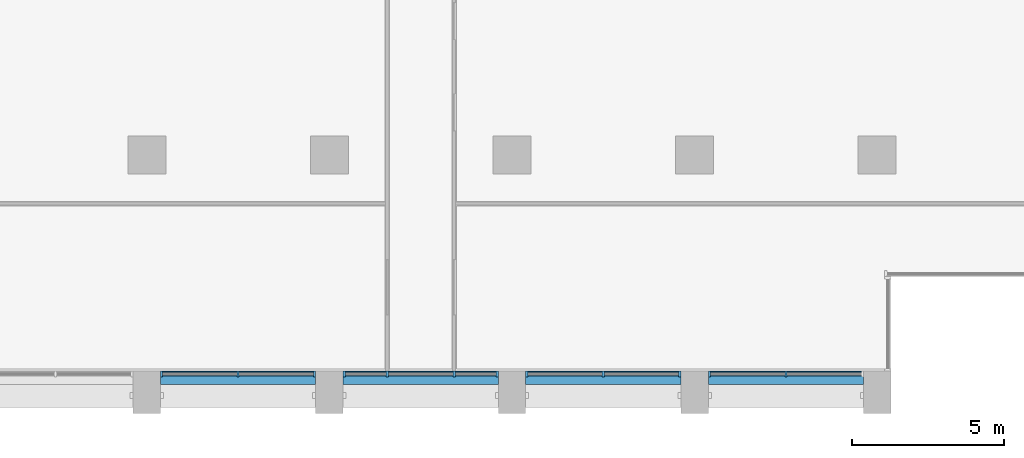
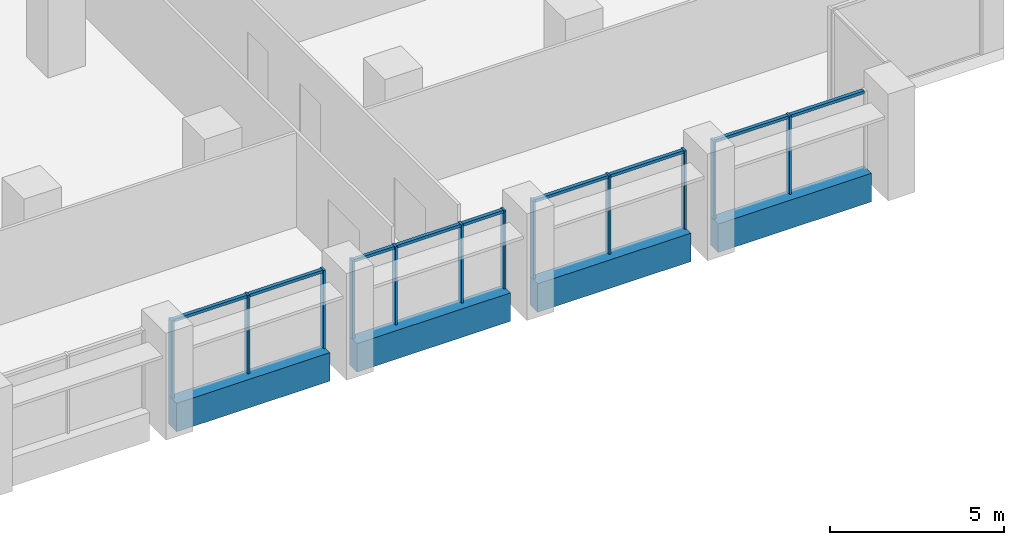
# One storey, part 3 of 16: 21 members, 4 beams, 4 elements without a shape of their own.
"""IFC4 building model written with IfcOpenShell, lengths in metres."""

from ifc_helpers import new_model, si_unit, direction, frame, origin, origin_2d, place, context, subcontext, project, spatial, rectangle, extrude, material, material_profile, profile_set, type_object, element, aggregate, save


model = new_model("IFC4")

# Units and contexts
model_context = context("Model", 3, precision=1e-05, world=origin(), true_north=direction((0.0, 1.0)))
body_context = subcontext(model_context, "Body", "Model", "MODEL_VIEW")
ifc_project = project(units=[si_unit("LENGTHUNIT", "METRE"), si_unit("AREAUNIT", "SQUARE_METRE"), si_unit("VOLUMEUNIT", "CUBIC_METRE"), si_unit("PLANEANGLEUNIT", "RADIAN"), si_unit("MASSUNIT", "GRAM", prefix="KILO")], contexts=[model_context])

# Site, building, storey
site_placement = place(None, origin())
site = spatial("IfcSite", under=ifc_project, at=site_placement, CompositionType="ELEMENT")
building_placement = place(site_placement, origin())
building = spatial("IfcBuilding", under=site, at=building_placement, Name="Calvaro Tower", CompositionType="ELEMENT")
storey_placement = place(building_placement, frame((0.0, 0.0, 136.25)))
storey = spatial("IfcBuildingStorey", under=building, at=storey_placement, Name="L34", CompositionType="ELEMENT", Elevation=136.25)

# Curtain wall, members
ifc_material_1 = material(Name="Anodised aluminium", Category="aluminium")
curtain_wall_type = type_object("IfcCurtainWallType", Name="Office curtain wall, middle zone", PredefinedType="NOTDEFINED", material=ifc_material_1)
curtain_wall_1_placement = place(storey_placement, origin())
curtain_wall_1 = element("IfcCurtainWall", 1, at=curtain_wall_1_placement, inside=storey, type_object=curtain_wall_type, Name="CW2 south curtain wall", PredefinedType="NOTDEFINED")
ifc_material_2 = material(Name="Anodised aluminium", Category="aluminium")
ifc_material_profile_1 = material_profile(ifc_material_2, rectangle(XDim=0.199951171875, YDim=0.070068359375, at=origin_2d()), Name="Mullion S2 70 x 200")
ifc_profile_set_1 = profile_set([ifc_material_profile_1], Name="Anodised aluminium")
member_type_1 = type_object("IfcMemberType", Name="Mullion S2 70 x 200", PredefinedType="MULLION", material=ifc_profile_set_1)
member_1_placement = place(storey_placement, frame((42.485107421875, 2.800048828125, 0.0), z_axis=(0.0, 0.0, 1.0), x_axis=(0.0, 1.0, 0.0)))
member_1 = element("IfcMember", 2, at=member_1_placement, type_object=member_type_1, Name="CW2 mullion 1", PredefinedType="MULLION", context=body_context, shape_type="SweptSolid", body=[
    extrude(rectangle(XDim=0.199951171875, YDim=0.070068359375, at=origin_2d()), origin(), (0.0, 0.0, 1.0), 2.75),
])
member_2_placement = place(storey_placement, frame((45.0, 2.800048828125, 0.0), z_axis=(0.0, 0.0, 1.0), x_axis=(0.0, 1.0, 0.0)))
member_2 = element("IfcMember", 3, at=member_2_placement, type_object=member_type_1, Name="CW2 mullion 2", PredefinedType="MULLION", context=body_context, shape_type="SweptSolid", body=[
    extrude(rectangle(XDim=0.199951171875, YDim=0.070068359375, at=origin_2d()), origin(), (0.0, 0.0, 1.0), 2.75),
])
member_3_placement = place(storey_placement, frame((47.514892578125, 2.800048828125, 0.0), z_axis=(0.0, 0.0, 1.0), x_axis=(0.0, 1.0, 0.0)))
member_3 = element("IfcMember", 4, at=member_3_placement, type_object=member_type_1, Name="CW2 mullion 3", PredefinedType="MULLION", context=body_context, shape_type="SweptSolid", body=[
    extrude(rectangle(XDim=0.199951171875, YDim=0.070068359375, at=origin_2d()), origin(), (0.0, 0.0, 1.0), 2.75),
])

curtain_wall_2_placement = place(storey_placement, origin())
curtain_wall_2 = element("IfcCurtainWall", 5, at=curtain_wall_2_placement, inside=storey, type_object=curtain_wall_type, Name="CW2 south curtain wall", PredefinedType="NOTDEFINED")
member_4_placement = place(storey_placement, frame((48.485107421875, 2.800048828125, 0.0), z_axis=(0.0, 0.0, 1.0), x_axis=(0.0, 1.0, 0.0)))
member_4 = element("IfcMember", 6, at=member_4_placement, type_object=member_type_1, Name="CW2 mullion 1", PredefinedType="MULLION", context=body_context, shape_type="SweptSolid", body=[
    extrude(rectangle(XDim=0.199951171875, YDim=0.070068359375, at=origin_2d()), origin(), (0.0, 0.0, 1.0), 2.75),
])
member_5_placement = place(storey_placement, frame((49.89990234375, 2.800048828125, 0.0), z_axis=(0.0, 0.0, 1.0), x_axis=(0.0, 1.0, 0.0)))
member_5 = element("IfcMember", 7, at=member_5_placement, type_object=member_type_1, Name="CW2 mullion 2", PredefinedType="MULLION", context=body_context, shape_type="SweptSolid", body=[
    extrude(rectangle(XDim=0.199951171875, YDim=0.070068359375, at=origin_2d()), origin(), (0.0, 0.0, 1.0), 2.75),
])
member_6_placement = place(storey_placement, frame((52.10009765625, 2.800048828125, 0.0), z_axis=(0.0, 0.0, 1.0), x_axis=(0.0, 1.0, 0.0)))
member_6 = element("IfcMember", 8, at=member_6_placement, type_object=member_type_1, Name="CW2 mullion 3", PredefinedType="MULLION", context=body_context, shape_type="SweptSolid", body=[
    extrude(rectangle(XDim=0.199951171875, YDim=0.070068359375, at=origin_2d()), origin(), (0.0, 0.0, 1.0), 2.75),
])
member_7_placement = place(storey_placement, frame((53.514892578125, 2.800048828125, 0.0), z_axis=(0.0, 0.0, 1.0), x_axis=(0.0, 1.0, 0.0)))
member_7 = element("IfcMember", 9, at=member_7_placement, type_object=member_type_1, Name="CW2 mullion 4", PredefinedType="MULLION", context=body_context, shape_type="SweptSolid", body=[
    extrude(rectangle(XDim=0.199951171875, YDim=0.070068359375, at=origin_2d()), origin(), (0.0, 0.0, 1.0), 2.75),
])

curtain_wall_3_placement = place(storey_placement, origin())
curtain_wall_3 = element("IfcCurtainWall", 10, at=curtain_wall_3_placement, inside=storey, type_object=curtain_wall_type, Name="CW2 south curtain wall", PredefinedType="NOTDEFINED")
member_8_placement = place(storey_placement, frame((54.485107421875, 2.800048828125, 0.0), z_axis=(0.0, 0.0, 1.0), x_axis=(0.0, 1.0, 0.0)))
member_8 = element("IfcMember", 11, at=member_8_placement, type_object=member_type_1, Name="CW2 mullion 1", PredefinedType="MULLION", context=body_context, shape_type="SweptSolid", body=[
    extrude(rectangle(XDim=0.199951171875, YDim=0.070068359375, at=origin_2d()), origin(), (0.0, 0.0, 1.0), 2.75),
])
member_9_placement = place(storey_placement, frame((57.0, 2.800048828125, 0.0), z_axis=(0.0, 0.0, 1.0), x_axis=(0.0, 1.0, 0.0)))
member_9 = element("IfcMember", 12, at=member_9_placement, type_object=member_type_1, Name="CW2 mullion 2", PredefinedType="MULLION", context=body_context, shape_type="SweptSolid", body=[
    extrude(rectangle(XDim=0.199951171875, YDim=0.070068359375, at=origin_2d()), origin(), (0.0, 0.0, 1.0), 2.75),
])
member_10_placement = place(storey_placement, frame((59.514892578125, 2.800048828125, 0.0), z_axis=(0.0, 0.0, 1.0), x_axis=(0.0, 1.0, 0.0)))
member_10 = element("IfcMember", 13, at=member_10_placement, type_object=member_type_1, Name="CW2 mullion 3", PredefinedType="MULLION", context=body_context, shape_type="SweptSolid", body=[
    extrude(rectangle(XDim=0.199951171875, YDim=0.070068359375, at=origin_2d()), origin(), (0.0, 0.0, 1.0), 2.75),
])

curtain_wall_4_placement = place(storey_placement, origin())
curtain_wall_4 = element("IfcCurtainWall", 14, at=curtain_wall_4_placement, inside=storey, type_object=curtain_wall_type, Name="CW2 south curtain wall", PredefinedType="NOTDEFINED")
member_11_placement = place(storey_placement, frame((60.485107421875, 2.800048828125, 0.0), z_axis=(0.0, 0.0, 1.0), x_axis=(0.0, 1.0, 0.0)))
member_11 = element("IfcMember", 15, at=member_11_placement, type_object=member_type_1, Name="CW2 mullion 1", PredefinedType="MULLION", context=body_context, shape_type="SweptSolid", body=[
    extrude(rectangle(XDim=0.199951171875, YDim=0.070068359375, at=origin_2d()), origin(), (0.0, 0.0, 1.0), 2.75),
])
member_12_placement = place(storey_placement, frame((63.0, 2.800048828125, 0.0), z_axis=(0.0, 0.0, 1.0), x_axis=(0.0, 1.0, 0.0)))
member_12 = element("IfcMember", 16, at=member_12_placement, type_object=member_type_1, Name="CW2 mullion 2", PredefinedType="MULLION", context=body_context, shape_type="SweptSolid", body=[
    extrude(rectangle(XDim=0.199951171875, YDim=0.070068359375, at=origin_2d()), origin(), (0.0, 0.0, 1.0), 2.75),
])

# Beams
ifc_material_3 = material(Name="Concrete C50/60 precast", Category="concrete")
ifc_material_profile_2 = material_profile(ifc_material_3, rectangle(XDim=0.449951171875, YDim=1.0, at=origin_2d()), Name="RC 450x1000")
ifc_profile_set_2 = profile_set([ifc_material_profile_2], Name="Concrete C50/60 precast")
beam_type = type_object("IfcBeamType", Name="Spandrel beam 450x1000 C50/60", PredefinedType="SPANDREL", material=ifc_profile_set_2)
for number, where, z_axis, x_axis, name in (
    (17, (42.449951171875, 2.675048828125, -0.5), (1.0, 0.0, 0.0), (0.0, 1.0, 0.0), "Spandrel beam"),
    (18, (48.449951171875, 2.675048828125, -0.5), (1.0, 0.0, 0.0), (0.0, 1.0, 0.0), "Spandrel beam"),
    (19, (54.449951171875, 2.675048828125, -0.5), (1.0, 0.0, 0.0), (0.0, 1.0, 0.0), "Spandrel beam"),
    (20, (60.449951171875, 2.675048828125, -0.5), (1.0, 0.0, 0.0), (0.0, 1.0, 0.0), "Spandrel beam"),
):
    element("IfcBeam", number, at=place(storey_placement, frame(where, z_axis=z_axis, x_axis=x_axis)), inside=storey, type_object=beam_type, Name=name, PredefinedType="SPANDREL", context=body_context, shape_type="SweptSolid", body=[
        extrude(rectangle(XDim=0.449951171875, YDim=1.0, at=origin_2d()), origin(), (0.0, 0.0, 1.0), 5.10009765625),
    ])

# Member
ifc_material_4 = material(Name="Anodised aluminium", Category="aluminium")
ifc_material_profile_3 = material_profile(ifc_material_4, rectangle(XDim=0.1201171875, YDim=0.10009765625, at=origin_2d()), Name="Transom S2 100 x 120")
ifc_profile_set_3 = profile_set([ifc_material_profile_3], Name="Anodised aluminium")
member_type_2 = type_object("IfcMemberType", Name="Transom S2 100 x 120", PredefinedType="USERDEFINED", material=ifc_profile_set_3)
member_13_placement = place(storey_placement, frame((42.52001953125, 2.800048828125, 2.699951171875), z_axis=(1.0, 0.0, 0.0), x_axis=(0.0, 1.0, 0.0)))
member_13 = element("IfcMember", 21, at=member_13_placement, type_object=member_type_2, Name="CW2 transom 1.1", ObjectType="TRANSOM", PredefinedType="USERDEFINED", context=body_context, shape_type="SweptSolid", body=[
    extrude(rectangle(XDim=0.1201171875, YDim=0.10009765625, at=origin_2d()), origin(), (0.0, 0.0, 1.0), 2.445068359375),
])

member_14_placement = place(storey_placement, frame((45.034912109375, 2.800048828125, 2.699951171875), z_axis=(1.0, 0.0, 0.0), x_axis=(0.0, 1.0, 0.0)))
member_14 = element("IfcMember", 22, at=member_14_placement, type_object=member_type_2, Name="CW2 transom 2.1", ObjectType="TRANSOM", PredefinedType="USERDEFINED", context=body_context, shape_type="SweptSolid", body=[
    extrude(rectangle(XDim=0.1201171875, YDim=0.10009765625, at=origin_2d()), origin(), (0.0, 0.0, 1.0), 2.445068359375),
])

aggregate(curtain_wall_1, [member_1, member_2, member_3, member_13, member_14])

member_15_placement = place(storey_placement, frame((48.52001953125, 2.800048828125, 2.699951171875), z_axis=(1.0, 0.0, 0.0), x_axis=(0.0, 1.0, 0.0)))
member_15 = element("IfcMember", 23, at=member_15_placement, type_object=member_type_2, Name="CW2 transom 1.1", ObjectType="TRANSOM", PredefinedType="USERDEFINED", context=body_context, shape_type="SweptSolid", body=[
    extrude(rectangle(XDim=0.1201171875, YDim=0.10009765625, at=origin_2d()), origin(), (0.0, 0.0, 1.0), 1.344970703125),
])

member_16_placement = place(storey_placement, frame((49.93505859375, 2.800048828125, 2.699951171875), z_axis=(1.0, 0.0, 0.0), x_axis=(0.0, 1.0, 0.0)))
member_16 = element("IfcMember", 24, at=member_16_placement, type_object=member_type_2, Name="CW2 transom 2.1", ObjectType="TRANSOM", PredefinedType="USERDEFINED", context=body_context, shape_type="SweptSolid", body=[
    extrude(rectangle(XDim=0.1201171875, YDim=0.10009765625, at=origin_2d()), origin(), (0.0, 0.0, 1.0), 2.1298828125),
])

member_17_placement = place(storey_placement, frame((52.135009765625, 2.800048828125, 2.699951171875), z_axis=(1.0, 0.0, 0.0), x_axis=(0.0, 1.0, 0.0)))
member_17 = element("IfcMember", 25, at=member_17_placement, type_object=member_type_2, Name="CW2 transom 3.1", ObjectType="TRANSOM", PredefinedType="USERDEFINED", context=body_context, shape_type="SweptSolid", body=[
    extrude(rectangle(XDim=0.1201171875, YDim=0.10009765625, at=origin_2d()), origin(), (0.0, 0.0, 1.0), 1.344970703125),
])

aggregate(curtain_wall_2, [member_4, member_5, member_6, member_7, member_15, member_16, member_17])

member_18_placement = place(storey_placement, frame((54.52001953125, 2.800048828125, 2.699951171875), z_axis=(1.0, 0.0, 0.0), x_axis=(0.0, 1.0, 0.0)))
member_18 = element("IfcMember", 26, at=member_18_placement, type_object=member_type_2, Name="CW2 transom 1.1", ObjectType="TRANSOM", PredefinedType="USERDEFINED", context=body_context, shape_type="SweptSolid", body=[
    extrude(rectangle(XDim=0.1201171875, YDim=0.10009765625, at=origin_2d()), origin(), (0.0, 0.0, 1.0), 2.445068359375),
])

member_19_placement = place(storey_placement, frame((57.034912109375, 2.800048828125, 2.699951171875), z_axis=(1.0, 0.0, 0.0), x_axis=(0.0, 1.0, 0.0)))
member_19 = element("IfcMember", 27, at=member_19_placement, type_object=member_type_2, Name="CW2 transom 2.1", ObjectType="TRANSOM", PredefinedType="USERDEFINED", context=body_context, shape_type="SweptSolid", body=[
    extrude(rectangle(XDim=0.1201171875, YDim=0.10009765625, at=origin_2d()), origin(), (0.0, 0.0, 1.0), 2.445068359375),
])

aggregate(curtain_wall_3, [member_8, member_9, member_10, member_18, member_19])

member_20_placement = place(storey_placement, frame((60.52001953125, 2.800048828125, 2.699951171875), z_axis=(1.0, 0.0, 0.0), x_axis=(0.0, 1.0, 0.0)))
member_20 = element("IfcMember", 28, at=member_20_placement, type_object=member_type_2, Name="CW2 transom 1.1", ObjectType="TRANSOM", PredefinedType="USERDEFINED", context=body_context, shape_type="SweptSolid", body=[
    extrude(rectangle(XDim=0.1201171875, YDim=0.10009765625, at=origin_2d()), origin(), (0.0, 0.0, 1.0), 2.445068359375),
])

member_21_placement = place(storey_placement, frame((63.034912109375, 2.800048828125, 2.699951171875), z_axis=(1.0, 0.0, 0.0), x_axis=(0.0, 1.0, 0.0)))
member_21 = element("IfcMember", 29, at=member_21_placement, type_object=member_type_2, Name="CW2 transom 2.1", ObjectType="TRANSOM", PredefinedType="USERDEFINED", context=body_context, shape_type="SweptSolid", body=[
    extrude(rectangle(XDim=0.1201171875, YDim=0.10009765625, at=origin_2d()), origin(), (0.0, 0.0, 1.0), 2.445068359375),
])

aggregate(curtain_wall_4, [member_11, member_12, member_20, member_21])

save(model, "model.ifc")
